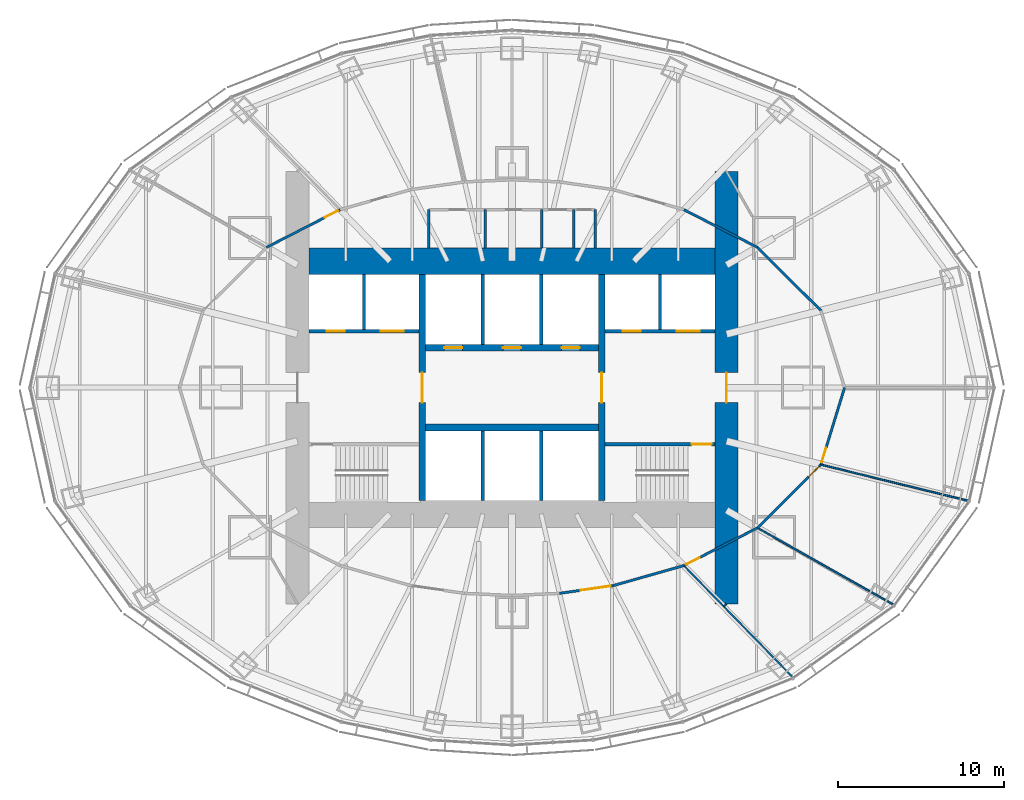
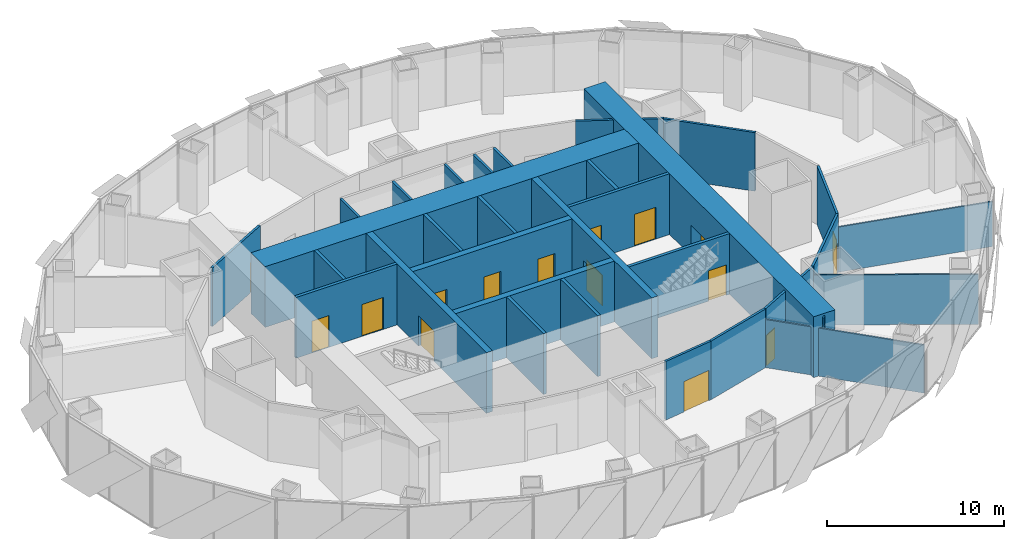
# One storey, part 11 of 18: 32 walls, 16 doors, 16 openings.
"""IFC4 building model written with IfcOpenShell, lengths in metres."""

from ifc_helpers import new_model, si_unit, direction, frame, frame_2d, origin, place, context, subcontext, project, spatial, rectangle, extrude, material, layer, layer_set, type_object, element, fill, save


model = new_model("IFC4")

# Units and contexts
model_context = context("Model", 3, precision=1e-05, world=origin(), true_north=direction((0.0, 1.0)))
body_context = subcontext(model_context, "Body", "Model", "MODEL_VIEW")
ifc_project = project(units=[si_unit("LENGTHUNIT", "METRE"), si_unit("AREAUNIT", "SQUARE_METRE"), si_unit("VOLUMEUNIT", "CUBIC_METRE"), si_unit("PLANEANGLEUNIT", "RADIAN"), si_unit("MASSUNIT", "GRAM", prefix="KILO")], contexts=[model_context])

# Site, building, storey
site_placement = place(None, origin())
site = spatial("IfcSite", under=ifc_project, at=site_placement, CompositionType="ELEMENT")
building_placement = place(site_placement, origin())
building = spatial("IfcBuilding", under=site, at=building_placement, Name="Lantaw Convention Tower", CompositionType="ELEMENT")
storey_placement = place(building_placement, frame((0.0, 0.0, 130.0)))
storey = spatial("IfcBuildingStorey", under=building, at=storey_placement, Name="L30", CompositionType="ELEMENT", Elevation=130.0)

# Wall, opening, door
ifc_material_1 = material(Name="Concrete C60/75", Category="concrete")
ifc_layer_1 = layer(ifc_material_1, 1.39990234375)
ifc_layer_set_1 = layer_set([ifc_layer_1], Name="Core wall 1400")
wall_type_1 = type_object("IfcWallType", Name="Core wall 1400", PredefinedType="SHEAR", material=ifc_layer_set_1)
wall_1_placement = place(storey_placement, frame((12.89990234375, -13.0, 0.0), z_axis=(0.0, 0.0, 1.0), x_axis=(0.0, 1.0, 0.0)))
wall_1 = element("IfcWall", 1, at=wall_1_placement, inside=storey, type_object=wall_type_1, Name="Core wall E", PredefinedType="SHEAR", context=body_context, shape_type="SweptSolid", body=[
    extrude(rectangle(XDim=26.0, YDim=1.39990234375, at=frame_2d((13.0, 0.0))), origin(), (0.0, 0.0, 1.0), 4.199951171875),
])
opening_1_placement = place(wall_1_placement, frame((12.10009765625, 0.0, 0.0)))
opening_1 = element("IfcOpeningElement", 2, at=opening_1_placement, cuts=wall_1, Name="Opening L30.05", PredefinedType="OPENING", context=body_context, shape_type="SweptSolid", body=[
    extrude(rectangle(XDim=1.800048828125, YDim=2.10009765625, at=frame_2d((0.89990234375, 1.050048828125))), frame((0.0, 0.7099609375, 0.0), z_axis=(0.0, -1.0, 0.0), x_axis=(1.0, 0.0, 0.0)), (0.0, 0.0, 1.0), 1.419921875),
])
ifc_material_2 = material(Name="Steel, fire rated", Category="steel")
door_type_1 = type_object("IfcDoorType", Name="Lobby double door FD90", OperationType="DOUBLE_DOOR_DOUBLE_SWING", PredefinedType="DOOR", material=ifc_material_2)
door_1_placement = place(opening_1_placement, origin())
door_1 = element("IfcDoor", 3, at=door_1_placement, inside=storey, type_object=door_type_1, Name="Firefighting lobby door", OperationType="DOUBLE_DOOR_DOUBLE_SWING", OverallHeight=2.10009765625, OverallWidth=1.800048828125, PredefinedType="DOOR", context=body_context, shape_type="SweptSolid", body=[
    extrude(rectangle(XDim=1.800048828125, YDim=2.10009765625, at=frame_2d((0.89990234375, 1.050048828125))), frame((0.0, 0.02490234375, 0.0), z_axis=(0.0, -1.0, 0.0), x_axis=(1.0, 0.0, 0.0)), (0.0, 0.0, 1.0), 0.050048828125),
])
fill(opening_1, door_1)

# Wall
ifc_layer_2 = layer(ifc_material_1, 1.60009765625)
ifc_layer_set_2 = layer_set([ifc_layer_2], Name="Core wall 1600")
wall_type_2 = type_object("IfcWallType", Name="Core wall 1600", PredefinedType="SHEAR", material=ifc_layer_set_2)
wall_2_placement = place(storey_placement, frame((12.199951171875, 7.60009765625, 0.0), z_axis=(0.0, 0.0, 1.0), x_axis=(-1.0, 0.0, 0.0)))
element("IfcWall", 4, at=wall_2_placement, inside=storey, type_object=wall_type_2, Name="Core wall N", PredefinedType="SHEAR", context=body_context, shape_type="SweptSolid", body=[
    extrude(rectangle(XDim=24.39990234375, YDim=1.60009765625, at=frame_2d((12.199951171875, 0.0))), origin(), (0.0, 0.0, 1.0), 4.199951171875),
])

# Wall, opening, door
ifc_layer_3 = layer(ifc_material_1, 0.199951171875)
ifc_layer_set_3 = layer_set([ifc_layer_3], Name="Core wall 200")
wall_type_3 = type_object("IfcWallType", Name="Core wall 200", PredefinedType="SHEAR", material=ifc_layer_set_3)
wall_3_placement = place(storey_placement, frame((5.60009765625, -3.39990234375, 0.0), z_axis=(0.0, 0.0, 1.0), x_axis=(1.0, 0.0, 0.0)))
wall_3 = element("IfcWall", 5, at=wall_3_placement, inside=storey, type_object=wall_type_3, Name="Core wall ES", PredefinedType="SHEAR", context=body_context, shape_type="SweptSolid", body=[
    extrude(rectangle(XDim=6.599853515625, YDim=0.199951171875, at=frame_2d((3.2998046875, 0.0))), origin(), (0.0, 0.0, 1.0), 4.199951171875),
])
opening_2_placement = place(wall_3_placement, frame((5.199951171875, 0.0, 0.0)))
opening_2 = element("IfcOpeningElement", 6, at=opening_2_placement, cuts=wall_3, Name="Opening L30.03", PredefinedType="OPENING", context=body_context, shape_type="SweptSolid", body=[
    extrude(rectangle(XDim=1.199951171875, YDim=2.10009765625, at=frame_2d((0.60009765625, 1.050048828125))), frame((0.0, 0.10986328125, 0.0), z_axis=(0.0, -1.0, 0.0), x_axis=(1.0, 0.0, 0.0)), (0.0, 0.0, 1.0), 0.219970703125),
])
door_type_2 = type_object("IfcDoorType", Name="Stair door FD90", OperationType="SINGLE_SWING_RIGHT", PredefinedType="DOOR", material=ifc_material_2)
door_2_placement = place(opening_2_placement, origin())
door_2 = element("IfcDoor", 7, at=door_2_placement, inside=storey, type_object=door_type_2, Name="Exit stair door", OperationType="SINGLE_SWING_RIGHT", OverallHeight=2.10009765625, OverallWidth=1.199951171875, PredefinedType="DOOR", context=body_context, shape_type="SweptSolid", body=[
    extrude(rectangle(XDim=1.199951171875, YDim=2.10009765625, at=frame_2d((0.60009765625, 1.050048828125))), frame((0.0, 0.02490234375, 0.0), z_axis=(0.0, -1.0, 0.0), x_axis=(1.0, 0.0, 0.0)), (0.0, 0.0, 1.0), 0.050048828125),
])
fill(opening_2, door_2)

ifc_layer_4 = layer(ifc_material_1, 0.39990234375)
ifc_layer_set_4 = layer_set([ifc_layer_4], Name="Core wall 400")
wall_type_4 = type_object("IfcWallType", Name="Core wall 400", PredefinedType="SHEAR", material=ifc_layer_set_4)
wall_4_placement = place(storey_placement, frame((5.39990234375, -6.800048828125, 0.0), z_axis=(0.0, 0.0, 1.0), x_axis=(0.0, 1.0, 0.0)))
wall_4 = element("IfcWall", 8, at=wall_4_placement, inside=storey, type_object=wall_type_4, Name="Core wall XE", PredefinedType="SHEAR", context=body_context, shape_type="SweptSolid", body=[
    extrude(rectangle(XDim=13.60009765625, YDim=0.39990234375, at=frame_2d((6.800048828125, 0.0))), origin(), (0.0, 0.0, 1.0), 4.199951171875),
])
opening_3_placement = place(wall_4_placement, frame((5.89990234375, 0.0, 0.0)))
opening_3 = element("IfcOpeningElement", 9, at=opening_3_placement, cuts=wall_4, Name="Opening L30.01", PredefinedType="OPENING", context=body_context, shape_type="SweptSolid", body=[
    extrude(rectangle(XDim=1.800048828125, YDim=2.10009765625, at=frame_2d((0.89990234375, 1.050048828125))), frame((0.0, 0.2099609375, 0.0), z_axis=(0.0, -1.0, 0.0), x_axis=(1.0, 0.0, 0.0)), (0.0, 0.0, 1.0), 0.419921875),
])
door_3_placement = place(opening_3_placement, origin())
door_3 = element("IfcDoor", 10, at=door_3_placement, inside=storey, type_object=door_type_1, Name="Lift lobby door", OperationType="DOUBLE_DOOR_DOUBLE_SWING", OverallHeight=2.10009765625, OverallWidth=1.800048828125, PredefinedType="DOOR", context=body_context, shape_type="SweptSolid", body=[
    extrude(rectangle(XDim=1.800048828125, YDim=2.10009765625, at=frame_2d((0.89990234375, 1.050048828125))), frame((0.0, 0.02490234375, 0.0), z_axis=(0.0, -1.0, 0.0), x_axis=(1.0, 0.0, 0.0)), (0.0, 0.0, 1.0), 0.050048828125),
])
fill(opening_3, door_3)

wall_5_placement = place(storey_placement, frame((-5.39990234375, 6.800048828125, 0.0), z_axis=(0.0, 0.0, 1.0), x_axis=(0.0, -1.0, 0.0)))
wall_5 = element("IfcWall", 11, at=wall_5_placement, inside=storey, type_object=wall_type_4, Name="Core wall XW", PredefinedType="SHEAR", context=body_context, shape_type="SweptSolid", body=[
    extrude(rectangle(XDim=13.60009765625, YDim=0.39990234375, at=frame_2d((6.800048828125, 0.0))), origin(), (0.0, 0.0, 1.0), 4.199951171875),
])
opening_4_placement = place(wall_5_placement, frame((5.89990234375, 0.0, 0.0)))
opening_4 = element("IfcOpeningElement", 12, at=opening_4_placement, cuts=wall_5, Name="Opening L30.02", PredefinedType="OPENING", context=body_context, shape_type="SweptSolid", body=[
    extrude(rectangle(XDim=1.800048828125, YDim=2.10009765625, at=frame_2d((0.89990234375, 1.050048828125))), frame((0.0, 0.2099609375, 0.0), z_axis=(0.0, -1.0, 0.0), x_axis=(1.0, 0.0, 0.0)), (0.0, 0.0, 1.0), 0.419921875),
])
door_4_placement = place(opening_4_placement, origin())
door_4 = element("IfcDoor", 13, at=door_4_placement, inside=storey, type_object=door_type_1, Name="Lift lobby door", OperationType="DOUBLE_DOOR_DOUBLE_SWING", OverallHeight=2.10009765625, OverallWidth=1.800048828125, PredefinedType="DOOR", context=body_context, shape_type="SweptSolid", body=[
    extrude(rectangle(XDim=1.800048828125, YDim=2.10009765625, at=frame_2d((0.89990234375, 1.050048828125))), frame((0.0, 0.02490234375, 0.0), z_axis=(0.0, -1.0, 0.0), x_axis=(1.0, 0.0, 0.0)), (0.0, 0.0, 1.0), 0.050048828125),
])
fill(opening_4, door_4)

# Wall
wall_6_placement = place(storey_placement, frame((-5.199951171875, -2.39990234375, 0.0), z_axis=(0.0, 0.0, 1.0), x_axis=(1.0, 0.0, 0.0)))
element("IfcWall", 14, at=wall_6_placement, inside=storey, type_object=wall_type_4, Name="Core wall BS", PredefinedType="SHEAR", context=body_context, shape_type="SweptSolid", body=[
    extrude(rectangle(XDim=10.39990234375, YDim=0.39990234375, at=frame_2d((5.199951171875, 0.0))), origin(), (0.0, 0.0, 1.0), 4.199951171875),
])

# Wall, openings, doors
wall_7_placement = place(storey_placement, frame((5.199951171875, 2.39990234375, 0.0), z_axis=(0.0, 0.0, 1.0), x_axis=(-1.0, 0.0, 0.0)))
wall_7 = element("IfcWall", 15, at=wall_7_placement, inside=storey, type_object=wall_type_4, Name="Core wall BN", PredefinedType="SHEAR", context=body_context, shape_type="SweptSolid", body=[
    extrude(rectangle(XDim=10.39990234375, YDim=0.39990234375, at=frame_2d((5.199951171875, 0.0))), origin(), (0.0, 0.0, 1.0), 4.199951171875),
])
opening_5_placement = place(wall_7_placement, frame((8.183349609375, 0.0, 0.0)))
opening_5 = element("IfcOpeningElement", 16, at=opening_5_placement, cuts=wall_7, Name="Opening L30.07", PredefinedType="OPENING", context=body_context, shape_type="SweptSolid", body=[
    extrude(rectangle(XDim=1.10009765625, YDim=2.199951171875, at=frame_2d((0.550048828125, 1.10009765625))), frame((0.0, 0.2099609375, 0.0), z_axis=(0.0, -1.0, 0.0), x_axis=(1.0, 0.0, 0.0)), (0.0, 0.0, 1.0), 0.419921875),
])
opening_6_placement = place(wall_7_placement, frame((4.64990234375, 0.0, 0.0)))
opening_6 = element("IfcOpeningElement", 17, at=opening_6_placement, cuts=wall_7, Name="Opening L30.08", PredefinedType="OPENING", context=body_context, shape_type="SweptSolid", body=[
    extrude(rectangle(XDim=1.10009765625, YDim=2.199951171875, at=frame_2d((0.550048828125, 1.10009765625))), frame((0.0, 0.2099609375, 0.0), z_axis=(0.0, -1.0, 0.0), x_axis=(1.0, 0.0, 0.0)), (0.0, 0.0, 1.0), 0.419921875),
])
opening_7_placement = place(wall_7_placement, frame((1.11669921875, 0.0, 0.0)))
opening_7 = element("IfcOpeningElement", 18, at=opening_7_placement, cuts=wall_7, Name="Opening L30.09", PredefinedType="OPENING", context=body_context, shape_type="SweptSolid", body=[
    extrude(rectangle(XDim=1.10009765625, YDim=2.199951171875, at=frame_2d((0.550048828125, 1.10009765625))), frame((0.0, 0.2099609375, 0.0), z_axis=(0.0, -1.0, 0.0), x_axis=(1.0, 0.0, 0.0)), (0.0, 0.0, 1.0), 0.419921875),
])
ifc_material_3 = material(Name="Stainless steel", Category="steel")
door_type_3 = type_object("IfcDoorType", Name="Lift landing door 1100", OperationType="DOUBLE_DOOR_SLIDING", PredefinedType="DOOR", material=ifc_material_3)
door_5_placement = place(opening_5_placement, origin())
door_5 = element("IfcDoor", 19, at=door_5_placement, inside=storey, type_object=door_type_3, Name="Lift landing door N1", OperationType="DOUBLE_DOOR_SLIDING", OverallHeight=2.199951171875, OverallWidth=1.10009765625, PredefinedType="DOOR", context=body_context, shape_type="SweptSolid", body=[
    extrude(rectangle(XDim=1.10009765625, YDim=2.199951171875, at=frame_2d((0.550048828125, 1.10009765625))), frame((0.0, 0.02490234375, 0.0), z_axis=(0.0, -1.0, 0.0), x_axis=(1.0, 0.0, 0.0)), (0.0, 0.0, 1.0), 0.050048828125),
])
fill(opening_5, door_5)
door_6_placement = place(opening_6_placement, origin())
door_6 = element("IfcDoor", 20, at=door_6_placement, inside=storey, type_object=door_type_3, Name="Lift landing door N2", OperationType="DOUBLE_DOOR_SLIDING", OverallHeight=2.199951171875, OverallWidth=1.10009765625, PredefinedType="DOOR", context=body_context, shape_type="SweptSolid", body=[
    extrude(rectangle(XDim=1.10009765625, YDim=2.199951171875, at=frame_2d((0.550048828125, 1.10009765625))), frame((0.0, 0.02490234375, 0.0), z_axis=(0.0, -1.0, 0.0), x_axis=(1.0, 0.0, 0.0)), (0.0, 0.0, 1.0), 0.050048828125),
])
fill(opening_6, door_6)
door_7_placement = place(opening_7_placement, origin())
door_7 = element("IfcDoor", 21, at=door_7_placement, inside=storey, type_object=door_type_3, Name="Lift landing door N3", OperationType="DOUBLE_DOOR_SLIDING", OverallHeight=2.199951171875, OverallWidth=1.10009765625, PredefinedType="DOOR", context=body_context, shape_type="SweptSolid", body=[
    extrude(rectangle(XDim=1.10009765625, YDim=2.199951171875, at=frame_2d((0.550048828125, 1.10009765625))), frame((0.0, 0.02490234375, 0.0), z_axis=(0.0, -1.0, 0.0), x_axis=(1.0, 0.0, 0.0)), (0.0, 0.0, 1.0), 0.050048828125),
])
fill(opening_7, door_7)

# Walls
ifc_material_4 = material(Name="Gypsum board on steel studs, fire rated", Category="steel")
ifc_layer_5 = layer(ifc_material_4, 0.14990234375)
ifc_layer_set_5 = layer_set([ifc_layer_5], Name="Corridor wall 150 EI 60")
wall_type_5 = type_object("IfcWallType", Name="Corridor wall 150 EI 60", PredefinedType="PARTITIONING", material=ifc_layer_set_5)
wall_8_placement = place(storey_placement, frame((18.576416015625, 4.631591796875, 0.0), z_axis=(0.0, 0.0, 1.0), x_axis=(-0.708306665233, 0.705904857603, 0.0)))
element("IfcWall", 22, at=wall_8_placement, inside=storey, type_object=wall_type_5, Name="Corridor wall 150", PredefinedType="PARTITIONING", context=body_context, shape_type="SweptSolid", body=[
    extrude(rectangle(XDim=5.387451171875, YDim=0.14990234375, at=frame_2d((2.69384765625, 0.0))), origin(), (0.0, 0.0, 1.0), 4.050048828125),
])
wall_9_placement = place(storey_placement, frame((14.760498046875, 8.4345703125, 0.0), z_axis=(0.0, 0.0, 1.0), x_axis=(-0.890004978294, 0.455950807227, 0.0)))
element("IfcWall", 23, at=wall_9_placement, inside=storey, type_object=wall_type_5, Name="Corridor wall 150", PredefinedType="PARTITIONING", context=body_context, shape_type="SweptSolid", body=[
    extrude(rectangle(XDim=4.97265625, YDim=0.14990234375, at=frame_2d((2.486328125, 0.0))), origin(), (0.0, 0.0, 1.0), 4.050048828125),
])

# Wall, opening, door
wall_10_placement = place(storey_placement, frame((-10.334716796875, 10.701904296875, 0.0), z_axis=(0.0, 0.0, 1.0), x_axis=(-0.890004978294, -0.455950807227, 0.0)))
wall_10 = element("IfcWall", 24, at=wall_10_placement, inside=storey, type_object=wall_type_5, Name="Corridor wall 150", PredefinedType="PARTITIONING", context=body_context, shape_type="SweptSolid", body=[
    extrude(rectangle(XDim=4.97265625, YDim=0.14990234375, at=frame_2d((2.486328125, 0.0))), origin(), (0.0, 0.0, 1.0), 4.050048828125),
])
opening_8_placement = place(wall_10_placement, frame((0.14990234375, 0.0, 0.0)))
opening_8 = element("IfcOpeningElement", 25, at=opening_8_placement, cuts=wall_10, Name="Opening L30.20", PredefinedType="OPENING", context=body_context, shape_type="SweptSolid", body=[
    extrude(rectangle(XDim=0.89990234375, YDim=2.10009765625, at=frame_2d((0.449951171875, 1.050048828125))), frame((0.0, 0.0849609375, 0.0), z_axis=(0.0, -1.0, 0.0), x_axis=(1.0, 0.0, 0.0)), (0.0, 0.0, 1.0), 0.169921875),
])
door_type_4 = type_object("IfcDoorType", Name="Office door 900 FD30", OperationType="SINGLE_SWING_LEFT", PredefinedType="DOOR", material=ifc_material_2)
door_8_placement = place(opening_8_placement, origin())
door_8 = element("IfcDoor", 26, at=door_8_placement, inside=storey, type_object=door_type_4, Name="Quiet room door", OperationType="SINGLE_SWING_LEFT", OverallHeight=2.10009765625, OverallWidth=0.89990234375, PredefinedType="DOOR", context=body_context, shape_type="SweptSolid", body=[
    extrude(rectangle(XDim=0.89990234375, YDim=2.10009765625, at=frame_2d((0.449951171875, 1.050048828125))), frame((0.0, 0.02490234375, 0.0), z_axis=(0.0, -1.0, 0.0), x_axis=(1.0, 0.0, 0.0)), (0.0, 0.0, 1.0), 0.050048828125),
])
fill(opening_8, door_8)

wall_11_placement = place(storey_placement, frame((2.856201171875, -12.371826171875, 0.0), z_axis=(0.0, 0.0, 1.0), x_axis=(0.989852979412, 0.14209531713, 0.0)))
wall_11 = element("IfcWall", 27, at=wall_11_placement, inside=storey, type_object=wall_type_5, Name="Corridor wall 150", PredefinedType="PARTITIONING", context=body_context, shape_type="SweptSolid", body=[
    extrude(rectangle(XDim=3.24560546875, YDim=0.14990234375, at=frame_2d((1.622802734375, 0.0))), origin(), (0.0, 0.0, 1.0), 4.050048828125),
])
opening_9_placement = place(wall_11_placement, frame((1.29541015625, 0.0, 0.0)))
opening_9 = element("IfcOpeningElement", 28, at=opening_9_placement, cuts=wall_11, Name="Opening L30.23", PredefinedType="OPENING", context=body_context, shape_type="SweptSolid", body=[
    extrude(rectangle(XDim=1.800048828125, YDim=2.10009765625, at=frame_2d((0.89990234375, 1.050048828125))), frame((0.0, 0.0849609375, 0.0), z_axis=(0.0, -1.0, 0.0), x_axis=(1.0, 0.0, 0.0)), (0.0, 0.0, 1.0), 0.169921875),
])
door_type_5 = type_object("IfcDoorType", Name="Office double door 1800 FD30", OperationType="DOUBLE_DOOR_DOUBLE_SWING", PredefinedType="DOOR", material=ifc_material_2)
door_9_placement = place(opening_9_placement, origin())
door_9 = element("IfcDoor", 29, at=door_9_placement, inside=storey, type_object=door_type_5, Name="Training room door", OperationType="DOUBLE_DOOR_DOUBLE_SWING", OverallHeight=2.10009765625, OverallWidth=1.800048828125, PredefinedType="DOOR", context=body_context, shape_type="SweptSolid", body=[
    extrude(rectangle(XDim=1.800048828125, YDim=2.10009765625, at=frame_2d((0.89990234375, 1.050048828125))), frame((0.0, 0.02490234375, 0.0), z_axis=(0.0, -1.0, 0.0), x_axis=(1.0, 0.0, 0.0)), (0.0, 0.0, 1.0), 0.050048828125),
])
fill(opening_9, door_9)

# Wall
wall_12_placement = place(storey_placement, frame((6.06884765625, -11.91064453125, 0.0), z_axis=(0.0, 0.0, 1.0), x_axis=(0.962122152905, 0.272618713388, 0.0)))
element("IfcWall", 30, at=wall_12_placement, inside=storey, type_object=wall_type_5, Name="Corridor wall 150", PredefinedType="PARTITIONING", context=body_context, shape_type="SweptSolid", body=[
    extrude(rectangle(XDim=4.433837890625, YDim=0.14990234375, at=frame_2d((2.216796875, 0.0))), origin(), (0.0, 0.0, 1.0), 4.050048828125),
])

# Wall, opening, door
wall_13_placement = place(storey_placement, frame((10.334716796875, -10.701904296875, 0.0), z_axis=(0.0, 0.0, 1.0), x_axis=(0.890004978294, 0.455950807227, 0.0)))
wall_13 = element("IfcWall", 31, at=wall_13_placement, inside=storey, type_object=wall_type_5, Name="Corridor wall 150", PredefinedType="PARTITIONING", context=body_context, shape_type="SweptSolid", body=[
    extrude(rectangle(XDim=4.97265625, YDim=0.14990234375, at=frame_2d((2.486328125, 0.0))), origin(), (0.0, 0.0, 1.0), 4.050048828125),
])
opening_10_placement = place(wall_13_placement, frame((0.14990234375, 0.0, 0.0)))
opening_10 = element("IfcOpeningElement", 32, at=opening_10_placement, cuts=wall_13, Name="Opening L30.24", PredefinedType="OPENING", context=body_context, shape_type="SweptSolid", body=[
    extrude(rectangle(XDim=0.89990234375, YDim=2.10009765625, at=frame_2d((0.449951171875, 1.050048828125))), frame((0.0, 0.0849609375, 0.0), z_axis=(0.0, -1.0, 0.0), x_axis=(1.0, 0.0, 0.0)), (0.0, 0.0, 1.0), 0.169921875),
])
door_10_placement = place(opening_10_placement, origin())
door_10 = element("IfcDoor", 33, at=door_10_placement, inside=storey, type_object=door_type_4, Name="Nap room door", OperationType="SINGLE_SWING_LEFT", OverallHeight=2.10009765625, OverallWidth=0.89990234375, PredefinedType="DOOR", context=body_context, shape_type="SweptSolid", body=[
    extrude(rectangle(XDim=0.89990234375, YDim=2.10009765625, at=frame_2d((0.449951171875, 1.050048828125))), frame((0.0, 0.02490234375, 0.0), z_axis=(0.0, -1.0, 0.0), x_axis=(1.0, 0.0, 0.0)), (0.0, 0.0, 1.0), 0.050048828125),
])
fill(opening_10, door_10)

wall_14_placement = place(storey_placement, frame((14.760498046875, -8.4345703125, 0.0), z_axis=(0.0, 0.0, 1.0), x_axis=(0.708306665233, 0.705904857603, 0.0)))
wall_14 = element("IfcWall", 34, at=wall_14_placement, inside=storey, type_object=wall_type_5, Name="Corridor wall 150", PredefinedType="PARTITIONING", context=body_context, shape_type="SweptSolid", body=[
    extrude(rectangle(XDim=5.387451171875, YDim=0.14990234375, at=frame_2d((2.69384765625, 0.0))), origin(), (0.0, 0.0, 1.0), 4.050048828125),
])
opening_11_placement = place(wall_14_placement, frame((4.33740234375, 0.0, 0.0)))
opening_11 = element("IfcOpeningElement", 35, at=opening_11_placement, cuts=wall_14, Name="Opening L30.25", PredefinedType="OPENING", context=body_context, shape_type="SweptSolid", body=[
    extrude(rectangle(XDim=0.89990234375, YDim=2.10009765625, at=frame_2d((0.449951171875, 1.050048828125))), frame((0.0, 0.0849609375, 0.0), z_axis=(0.0, -1.0, 0.0), x_axis=(1.0, 0.0, 0.0)), (0.0, 0.0, 1.0), 0.169921875),
])
door_11_placement = place(opening_11_placement, origin())
door_11 = element("IfcDoor", 36, at=door_11_placement, inside=storey, type_object=door_type_4, Name="24-hour pantry door", OperationType="SINGLE_SWING_LEFT", OverallHeight=2.10009765625, OverallWidth=0.89990234375, PredefinedType="DOOR", context=body_context, shape_type="SweptSolid", body=[
    extrude(rectangle(XDim=0.89990234375, YDim=2.10009765625, at=frame_2d((0.449951171875, 1.050048828125))), frame((0.0, 0.02490234375, 0.0), z_axis=(0.0, -1.0, 0.0), x_axis=(1.0, 0.0, 0.0)), (0.0, 0.0, 1.0), 0.050048828125),
])
fill(opening_11, door_11)

wall_15_placement = place(storey_placement, frame((18.576416015625, -4.631591796875, 0.0), z_axis=(0.0, 0.0, 1.0), x_axis=(0.293799045613, 0.955867208767, 0.0)))
wall_15 = element("IfcWall", 37, at=wall_15_placement, inside=storey, type_object=wall_type_5, Name="Corridor wall 150", PredefinedType="PARTITIONING", context=body_context, shape_type="SweptSolid", body=[
    extrude(rectangle(XDim=4.845458984375, YDim=0.14990234375, at=frame_2d((2.4228515625, 0.0))), origin(), (0.0, 0.0, 1.0), 4.050048828125),
])
opening_12_placement = place(wall_15_placement, frame((0.14990234375, 0.0, 0.0)))
opening_12 = element("IfcOpeningElement", 38, at=opening_12_placement, cuts=wall_15, Name="Opening L30.26", PredefinedType="OPENING", context=body_context, shape_type="SweptSolid", body=[
    extrude(rectangle(XDim=0.89990234375, YDim=2.10009765625, at=frame_2d((0.449951171875, 1.050048828125))), frame((0.0, 0.0849609375, 0.0), z_axis=(0.0, -1.0, 0.0), x_axis=(1.0, 0.0, 0.0)), (0.0, 0.0, 1.0), 0.169921875),
])
door_12_placement = place(opening_12_placement, origin())
door_12 = element("IfcDoor", 39, at=door_12_placement, inside=storey, type_object=door_type_4, Name="Quiet room door", OperationType="SINGLE_SWING_LEFT", OverallHeight=2.10009765625, OverallWidth=0.89990234375, PredefinedType="DOOR", context=body_context, shape_type="SweptSolid", body=[
    extrude(rectangle(XDim=0.89990234375, YDim=2.10009765625, at=frame_2d((0.449951171875, 1.050048828125))), frame((0.0, 0.02490234375, 0.0), z_axis=(0.0, -1.0, 0.0), x_axis=(1.0, 0.0, 0.0)), (0.0, 0.0, 1.0), 0.050048828125),
])
fill(opening_12, door_12)

# Walls
ifc_material_5 = material(Name="Gypsum board on steel studs, acoustic", Category="steel")
ifc_layer_6 = layer(ifc_material_5, 0.10009765625)
ifc_layer_set_6 = layer_set([ifc_layer_6], Name="Office partition 100")
wall_type_6 = type_object("IfcWallType", Name="Office partition 100", PredefinedType="PARTITIONING", material=ifc_layer_set_6)
wall_16_placement = place(storey_placement, frame((16.88232421875, -17.413818359375, 0.0), z_axis=(0.0, 0.0, 1.0), x_axis=(-0.698290989425, 0.715814008027, 0.0)))
element("IfcWall", 40, at=wall_16_placement, inside=storey, type_object=wall_type_6, Name="Office partition 100", PredefinedType="PARTITIONING", context=body_context, shape_type="SweptSolid", body=[
    extrude(rectangle(XDim=9.376708984375, YDim=0.10009765625, at=frame_2d((4.6884765625, 0.0))), origin(), (0.0, 0.0, 1.0), 3.321044921875),
])
wall_17_placement = place(storey_placement, frame((22.948974609375, -13.05908203125, 0.0), z_axis=(0.0, 0.0, 1.0), x_axis=(-0.870733950517, 0.491754397456, 0.0)))
element("IfcWall", 41, at=wall_17_placement, inside=storey, type_object=wall_type_6, Name="Office partition 100", PredefinedType="PARTITIONING", context=body_context, shape_type="SweptSolid", body=[
    extrude(rectangle(XDim=9.404052734375, YDim=0.10009765625, at=frame_2d((4.7021484375, 0.0))), origin(), (0.0, 0.0, 1.0), 3.450439453125),
])
wall_18_placement = place(storey_placement, frame((27.440673828125, -6.80908203125, 0.0), z_axis=(0.0, 0.0, 1.0), x_axis=(-0.971128704348, 0.238556156056, 0.0)))
element("IfcWall", 42, at=wall_18_placement, inside=storey, type_object=wall_type_6, Name="Office partition 100", PredefinedType="PARTITIONING", context=body_context, shape_type="SweptSolid", body=[
    extrude(rectangle(XDim=9.127685546875, YDim=0.10009765625, at=frame_2d((4.56396484375, 0.0))), origin(), (0.0, 0.0, 1.0), 3.11279296875),
])
wall_19_placement = place(storey_placement, frame((12.89990234375, -13.0, 0.0), z_axis=(0.0, 0.0, 1.0), x_axis=(-0.716013316663, -0.698086620959, 0.0)))
element("IfcWall", 43, at=wall_19_placement, inside=storey, type_object=wall_type_6, Name="Office partition 100", PredefinedType="PARTITIONING", context=body_context, shape_type="SweptSolid", body=[
    extrude(rectangle(XDim=0.2314453125, YDim=0.10009765625, at=frame_2d((0.11572265625, 0.0))), origin(), (0.0, 0.0, 1.0), 4.050048828125),
])
ifc_material_6 = material(Name="Concrete blockwork, fire rated", Category="masonry")
ifc_layer_7 = layer(ifc_material_6, 0.199951171875)
ifc_layer_set_7 = layer_set([ifc_layer_7], Name="Shaft wall 200")
wall_type_7 = type_object("IfcWallType", Name="Shaft wall 200", PredefinedType="SOLIDWALL", material=ifc_layer_set_7)
for number, where, z_axis, x_axis, name in (
    (44, (-1.7666015625, 2.60009765625, 0.0), (0.0, 0.0, 1.0), (0.0, 1.0, 0.0), "Shaft wall DN1"),
    (45, (1.7666015625, 2.60009765625, 0.0), (0.0, 0.0, 1.0), (0.0, 1.0, 0.0), "Shaft wall DN2"),
):
    element("IfcWall", number, at=place(storey_placement, frame(where, z_axis=z_axis, x_axis=x_axis)), inside=storey, type_object=wall_type_7, Name=name, PredefinedType="SOLIDWALL", context=body_context, shape_type="SweptSolid", body=[
        extrude(rectangle(XDim=4.199951171875, YDim=0.199951171875, at=frame_2d((2.10009765625, 0.0))), origin(), (0.0, 0.0, 1.0), 4.199951171875),
    ])

# Wall, openings, doors
wall_20_placement = place(storey_placement, frame((12.199951171875, 3.39990234375, 0.0), z_axis=(0.0, 0.0, 1.0), x_axis=(-1.0, 0.0, 0.0)))
wall_20 = element("IfcWall", 46, at=wall_20_placement, inside=storey, type_object=wall_type_7, Name="Shaft wall EN", PredefinedType="SOLIDWALL", context=body_context, shape_type="SweptSolid", body=[
    extrude(rectangle(XDim=6.599853515625, YDim=0.199951171875, at=frame_2d((3.2998046875, 0.0))), origin(), (0.0, 0.0, 1.0), 4.199951171875),
])
opening_13_placement = place(wall_20_placement, frame((4.449951171875, 0.0, 0.0)))
opening_13 = element("IfcOpeningElement", 47, at=opening_13_placement, cuts=wall_20, Name="Opening L30.12", PredefinedType="OPENING", context=body_context, shape_type="SweptSolid", body=[
    extrude(rectangle(XDim=1.10009765625, YDim=2.199951171875, at=frame_2d((0.550048828125, 1.10009765625))), frame((0.0, 0.10986328125, 0.0), z_axis=(0.0, -1.0, 0.0), x_axis=(1.0, 0.0, 0.0)), (0.0, 0.0, 1.0), 0.219970703125),
])
opening_14_placement = place(wall_20_placement, frame((0.89990234375, 0.0, 0.0)))
opening_14 = element("IfcOpeningElement", 48, at=opening_14_placement, cuts=wall_20, Name="Opening L30.13", PredefinedType="OPENING", context=body_context, shape_type="SweptSolid", body=[
    extrude(rectangle(XDim=1.39990234375, YDim=2.199951171875, at=frame_2d((0.699951171875, 1.10009765625))), frame((0.0, 0.10986328125, 0.0), z_axis=(0.0, -1.0, 0.0), x_axis=(1.0, 0.0, 0.0)), (0.0, 0.0, 1.0), 0.219970703125),
])
door_13_placement = place(opening_13_placement, origin())
door_13 = element("IfcDoor", 49, at=door_13_placement, inside=storey, type_object=door_type_3, Name="Lift landing door FF2", OperationType="DOUBLE_DOOR_SLIDING", OverallHeight=2.199951171875, OverallWidth=1.10009765625, PredefinedType="DOOR", context=body_context, shape_type="SweptSolid", body=[
    extrude(rectangle(XDim=1.10009765625, YDim=2.199951171875, at=frame_2d((0.550048828125, 1.10009765625))), frame((0.0, 0.02490234375, 0.0), z_axis=(0.0, -1.0, 0.0), x_axis=(1.0, 0.0, 0.0)), (0.0, 0.0, 1.0), 0.050048828125),
])
fill(opening_13, door_13)
door_type_6 = type_object("IfcDoorType", Name="Lift landing door 1400", OperationType="DOUBLE_DOOR_SLIDING", PredefinedType="DOOR", material=ifc_material_3)
door_14_placement = place(opening_14_placement, origin())
door_14 = element("IfcDoor", 50, at=door_14_placement, inside=storey, type_object=door_type_6, Name="Lift landing door SV2", OperationType="DOUBLE_DOOR_SLIDING", OverallHeight=2.199951171875, OverallWidth=1.39990234375, PredefinedType="DOOR", context=body_context, shape_type="SweptSolid", body=[
    extrude(rectangle(XDim=1.39990234375, YDim=2.199951171875, at=frame_2d((0.699951171875, 1.10009765625))), frame((0.0, 0.02490234375, 0.0), z_axis=(0.0, -1.0, 0.0), x_axis=(1.0, 0.0, 0.0)), (0.0, 0.0, 1.0), 0.050048828125),
])
fill(opening_14, door_14)

# Wall
wall_21_placement = place(storey_placement, frame((8.89990234375, 3.5, 0.0), z_axis=(0.0, 0.0, 1.0), x_axis=(0.0, 1.0, 0.0)))
element("IfcWall", 51, at=wall_21_placement, inside=storey, type_object=wall_type_7, Name="Shaft wall ED", PredefinedType="SOLIDWALL", context=body_context, shape_type="SweptSolid", body=[
    extrude(rectangle(XDim=3.300048828125, YDim=0.199951171875, at=frame_2d((1.64990234375, 0.0))), origin(), (0.0, 0.0, 1.0), 4.199951171875),
])

# Wall, openings, doors
wall_22_placement = place(storey_placement, frame((-12.199951171875, 3.39990234375, 0.0), z_axis=(0.0, 0.0, 1.0), x_axis=(1.0, 0.0, 0.0)))
wall_22 = element("IfcWall", 52, at=wall_22_placement, inside=storey, type_object=wall_type_7, Name="Shaft wall WN", PredefinedType="SOLIDWALL", context=body_context, shape_type="SweptSolid", body=[
    extrude(rectangle(XDim=6.599853515625, YDim=0.199951171875, at=frame_2d((3.2998046875, 0.0))), origin(), (0.0, 0.0, 1.0), 4.199951171875),
])
opening_15_placement = place(wall_22_placement, frame((1.050048828125, 0.0, 0.0)))
opening_15 = element("IfcOpeningElement", 53, at=opening_15_placement, cuts=wall_22, Name="Opening L30.10", PredefinedType="OPENING", context=body_context, shape_type="SweptSolid", body=[
    extrude(rectangle(XDim=1.10009765625, YDim=2.199951171875, at=frame_2d((0.550048828125, 1.10009765625))), frame((0.0, 0.10986328125, 0.0), z_axis=(0.0, -1.0, 0.0), x_axis=(1.0, 0.0, 0.0)), (0.0, 0.0, 1.0), 0.219970703125),
])
opening_16_placement = place(wall_22_placement, frame((4.300048828125, 0.0, 0.0)))
opening_16 = element("IfcOpeningElement", 54, at=opening_16_placement, cuts=wall_22, Name="Opening L30.11", PredefinedType="OPENING", context=body_context, shape_type="SweptSolid", body=[
    extrude(rectangle(XDim=1.39990234375, YDim=2.199951171875, at=frame_2d((0.699951171875, 1.10009765625))), frame((0.0, 0.10986328125, 0.0), z_axis=(0.0, -1.0, 0.0), x_axis=(1.0, 0.0, 0.0)), (0.0, 0.0, 1.0), 0.219970703125),
])
door_15_placement = place(opening_15_placement, origin())
door_15 = element("IfcDoor", 55, at=door_15_placement, inside=storey, type_object=door_type_3, Name="Lift landing door FF1", OperationType="DOUBLE_DOOR_SLIDING", OverallHeight=2.199951171875, OverallWidth=1.10009765625, PredefinedType="DOOR", context=body_context, shape_type="SweptSolid", body=[
    extrude(rectangle(XDim=1.10009765625, YDim=2.199951171875, at=frame_2d((0.550048828125, 1.10009765625))), frame((0.0, 0.02490234375, 0.0), z_axis=(0.0, -1.0, 0.0), x_axis=(1.0, 0.0, 0.0)), (0.0, 0.0, 1.0), 0.050048828125),
])
fill(opening_15, door_15)
door_16_placement = place(opening_16_placement, origin())
door_16 = element("IfcDoor", 56, at=door_16_placement, inside=storey, type_object=door_type_6, Name="Lift landing door SV1", OperationType="DOUBLE_DOOR_SLIDING", OverallHeight=2.199951171875, OverallWidth=1.39990234375, PredefinedType="DOOR", context=body_context, shape_type="SweptSolid", body=[
    extrude(rectangle(XDim=1.39990234375, YDim=2.199951171875, at=frame_2d((0.699951171875, 1.10009765625))), frame((0.0, 0.02490234375, 0.0), z_axis=(0.0, -1.0, 0.0), x_axis=(1.0, 0.0, 0.0)), (0.0, 0.0, 1.0), 0.050048828125),
])
fill(opening_16, door_16)

# Walls
wall_23_placement = place(storey_placement, frame((-8.89990234375, 3.5, 0.0), z_axis=(0.0, 0.0, 1.0), x_axis=(0.0, 1.0, 0.0)))
element("IfcWall", 57, at=wall_23_placement, inside=storey, type_object=wall_type_7, Name="Shaft wall WD", PredefinedType="SOLIDWALL", context=body_context, shape_type="SweptSolid", body=[
    extrude(rectangle(XDim=3.300048828125, YDim=0.199951171875, at=frame_2d((1.64990234375, 0.0))), origin(), (0.0, 0.0, 1.0), 4.199951171875),
])
ifc_layer_8 = layer(ifc_material_6, 0.199951171875)
ifc_layer_set_8 = layer_set([ifc_layer_8], Name="Shaft wall 200 load-bearing")
wall_type_8 = type_object("IfcWallType", Name="Shaft wall 200 load-bearing", PredefinedType="SOLIDWALL", material=ifc_layer_set_8)
for number, where, z_axis, x_axis, name in (
    (58, (-1.7666015625, -2.60009765625, 0.0), (0.0, 0.0, 1.0), (0.0, -1.0, 0.0), "Shaft wall DS1"),
    (59, (1.7666015625, -2.60009765625, 0.0), (0.0, 0.0, 1.0), (0.0, -1.0, 0.0), "Shaft wall DS2"),
):
    element("IfcWall", number, at=place(storey_placement, frame(where, z_axis=z_axis, x_axis=x_axis)), inside=storey, type_object=wall_type_8, Name=name, PredefinedType="SOLIDWALL", context=body_context, shape_type="SweptSolid", body=[
        extrude(rectangle(XDim=4.199951171875, YDim=0.199951171875, at=frame_2d((2.10009765625, 0.0))), origin(), (0.0, 0.0, 1.0), 4.199951171875),
    ])
ifc_material_7 = material(Name="Concrete blockwork", Category="masonry")
ifc_layer_9 = layer(ifc_material_7, 0.14990234375)
ifc_layer_set_9 = layer_set([ifc_layer_9], Name="WC wall 150")
wall_type_9 = type_object("IfcWallType", Name="WC wall 150", PredefinedType="SOLIDWALL", material=ifc_layer_set_9)
for number, where, z_axis, x_axis, name in (
    (60, (-5.0, 8.39990234375, 0.0), (0.0, 0.0, 1.0), (0.0, 1.0, 0.0), "WC wall 150"),
    (61, (5.0, 8.39990234375, 0.0), (0.0, 0.0, 1.0), (0.0, 1.0, 0.0), "WC wall 150"),
    (62, (-1.60009765625, 8.39990234375, 0.0), (0.0, 0.0, 1.0), (0.0, 1.0, 0.0), "WC wall 150"),
    (63, (1.800048828125, 8.39990234375, 0.0), (0.0, 0.0, 1.0), (0.0, 1.0, 0.0), "WC wall 150"),
    (64, (3.699951171875, 8.39990234375, 0.0), (0.0, 0.0, 1.0), (0.0, 1.0, 0.0), "WC wall 150"),
):
    element("IfcWall", number, at=place(storey_placement, frame(where, z_axis=z_axis, x_axis=x_axis)), inside=storey, type_object=wall_type_9, Name=name, PredefinedType="SOLIDWALL", context=body_context, shape_type="SweptSolid", body=[
        extrude(rectangle(XDim=2.300048828125, YDim=0.14990234375, at=frame_2d((1.14990234375, 0.0))), origin(), (0.0, 0.0, 1.0), 4.050048828125),
    ])

save(model, "model.ifc")
